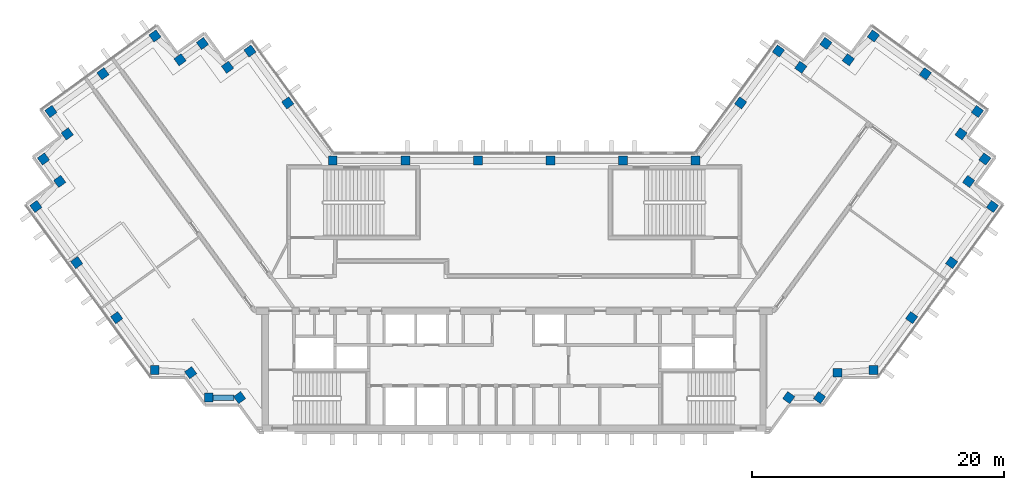
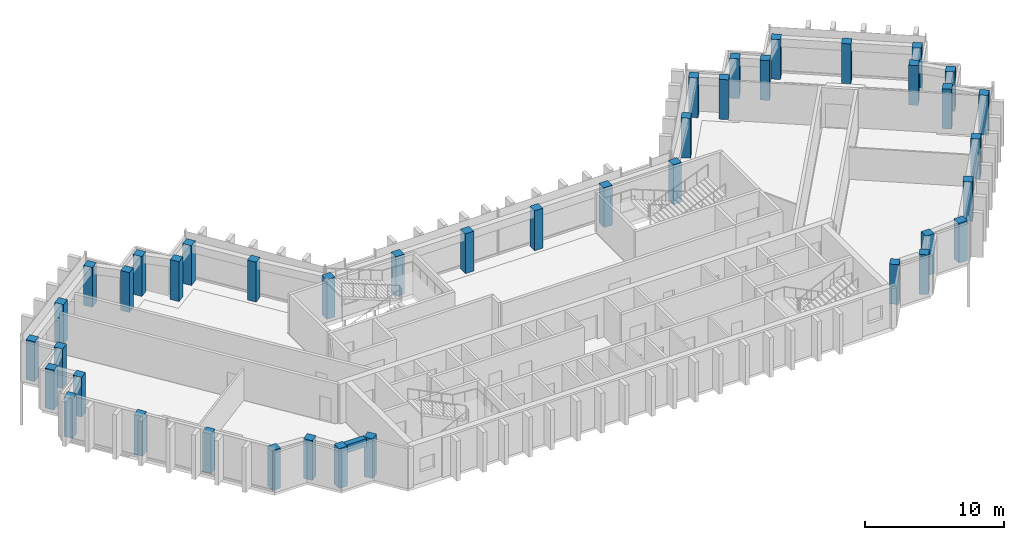
# One storey, part 1 of 13: 42 columns, 1 beam.
"""IFC4 building model written with IfcOpenShell, lengths in metres."""

from ifc_helpers import new_model, si_unit, direction, frame, origin, origin_2d, place, context, subcontext, project, spatial, rectangle, extrude, material, material_profile, profile_set, type_object, element, save


model = new_model("IFC4")

# Units and contexts
model_context = context("Model", 3, precision=1e-05, world=origin(), true_north=direction((0.0, 1.0)))
body_context = subcontext(model_context, "Body", "Model", "MODEL_VIEW")
ifc_project = project(units=[si_unit("LENGTHUNIT", "METRE"), si_unit("AREAUNIT", "SQUARE_METRE"), si_unit("VOLUMEUNIT", "CUBIC_METRE"), si_unit("PLANEANGLEUNIT", "RADIAN"), si_unit("MASSUNIT", "GRAM", prefix="KILO")], contexts=[model_context])

# Site, building, storey
site_placement = place(None, origin())
site = spatial("IfcSite", under=ifc_project, at=site_placement, CompositionType="ELEMENT")
building_placement = place(site_placement, origin())
building = spatial("IfcBuilding", under=site, at=building_placement, Name="Quipu Civic Tower", CompositionType="ELEMENT")
storey_placement = place(building_placement, frame((0.0, 0.0, 269.0)))
storey = spatial("IfcBuildingStorey", under=building, at=storey_placement, Name="L63", CompositionType="ELEMENT", Elevation=269.0)

# Columns
ifc_material_1 = material(Name="Concrete C50/60", Category="concrete")
ifc_material_profile_1 = material_profile(ifc_material_1, rectangle(XDim=0.699951171875, YDim=0.699951171875, at=origin_2d()), Name="RC700x700")
ifc_profile_set_1 = profile_set([ifc_material_profile_1], Name="Concrete C50/60")
column_type = type_object("IfcColumnType", Name="Perimeter column RC 700x700 C50/60", PredefinedType="COLUMN", material=ifc_profile_set_1)
for number, where, z_axis, x_axis, name in (
    (1, (-17.9736328125, 15.074951171875, 0.0), (0.0, 0.0, 1.0), (-0.587785252292, 0.809016994375, 0.0), "Column L63 W-IN-01"),
    (2, (-20.969970703125, 19.195068359375, 0.0), (0.0, 0.0, 1.0), (-0.587785252292, 0.809016994375, 0.0), "Column L63 T-Wi.0-W22"),
    (3, (-22.749267578125, 17.904296875, 0.0), (0.0, 0.0, 1.0), (-0.587785252292, 0.809016994375, 0.0), "Column L63 T-Wi.1-W22"),
    (4, (-24.739990234375, 19.794921875, 0.0), (0.0, 0.0, 1.0), (-0.587785252292, 0.809016994375, 0.0), "Column L63 T-Wi.2-W22"),
    (5, (-26.51904296875, 18.50048828125, 0.0), (0.0, 0.0, 1.0), (-0.587785252292, 0.809016994375, 0.0), "Column L63 T-Wi.3-W22"),
    (6, (-28.510009765625, 20.389892578125, 0.0), (0.0, 0.0, 1.0), (-0.809016994375, -0.587785252292, 0.0), "Column L63 T-Wi.4-W22"),
    (7, (-32.636962890625, 17.39306640625, 0.0), (0.0, 0.0, 1.0), (-0.809016994375, -0.587785252292, 0.0), "Column L63 TIP-W-01-W22"),
    (8, (-36.764892578125, 14.39501953125, 0.0), (0.0, 0.0, 1.0), (0.587785252292, -0.809016994375, 0.0), "Column L63 T-Wo.0-W22"),
    (9, (-35.470703125, 12.616455078125, 0.0), (0.0, 0.0, 1.0), (-0.809016994375, -0.587785252292, 0.0), "Column L63 T-Wo.1-W22"),
    (10, (-37.360107421875, 10.625, 0.0), (0.0, 0.0, 1.0), (0.587785252292, -0.809016994375, 0.0), "Column L63 T-Wo.2-W22"),
    (11, (-36.068115234375, 8.843994140625, 0.0), (0.0, 0.0, 1.0), (0.587785252292, -0.809016994375, 0.0), "Column L63 T-Wo.3-W22"),
    (12, (-37.9599609375, 6.85498046875, 0.0), (0.0, 0.0, 1.0), (0.587785252292, -0.809016994375, 0.0), "Column L63 T-Wo.4-W22"),
    (13, (-34.722412109375, 2.39990234375, 0.0), (0.0, 0.0, 1.0), (0.587785252292, -0.809016994375, 0.0), "Column L63 W-OUT-02"),
    (14, (-31.54833984375, -1.96875, 0.0), (0.0, 0.0, 1.0), (0.587785252292, -0.809016994375, 0.0), "Column L63 W-OUT-01"),
    (15, (-28.52490234375, -6.1298828125, 0.0), (0.0, 0.0, 1.0), (1.0, 0.0, 0.0), "Column L63 J-Wo.0"),
    (16, (-25.67431640625, -6.3369140625, 0.0), (0.0, 0.0, 1.0), (0.587785252292, -0.809016994375, 0.0), "Column L63 J-Wo.1"),
    (17, (-24.235107421875, -8.31494140625, 0.0), (0.0, 0.0, 1.0), (1.0, 0.0, 0.0), "Column L63 J-Wo.2"),
    (18, (-21.791748046875, -8.31494140625, 0.0), (0.0, 0.0, 1.0), (0.587785252292, -0.809016994375, 0.0), "Column L63 J-Wo.3"),
    (19, (21.791748046875, -8.31494140625, 0.0), (0.0, 0.0, 1.0), (0.587785252292, 0.809016994375, 0.0), "Column L63 J-Eo.1"),
    (20, (24.235107421875, -8.31494140625, 0.0), (0.0, 0.0, 1.0), (0.587785252292, 0.809016994375, 0.0), "Column L63 J-Eo.2"),
    (21, (25.67431640625, -6.3369140625, 0.0), (0.0, 0.0, 1.0), (1.0, 0.0, 0.0), "Column L63 J-Eo.3"),
    (22, (28.52490234375, -6.1298828125, 0.0), (0.0, 0.0, 1.0), (1.0, 0.0, 0.0), "Column L63 J-Eo.4"),
    (23, (31.54833984375, -1.96875, 0.0), (0.0, 0.0, 1.0), (0.587785252292, 0.809016994375, 0.0), "Column L63 E-OUT-01"),
    (24, (34.722412109375, 2.39990234375, 0.0), (0.0, 0.0, 1.0), (0.587785252292, 0.809016994375, 0.0), "Column L63 E-OUT-02"),
    (25, (37.9599609375, 6.85498046875, 0.0), (0.0, 0.0, 1.0), (0.587785252292, 0.809016994375, 0.0), "Column L63 T-Eo.0-E22"),
    (26, (36.068115234375, 8.843994140625, 0.0), (0.0, 0.0, 1.0), (0.587785252292, 0.809016994375, 0.0), "Column L63 T-Eo.1-E22"),
    (27, (37.360107421875, 10.625, 0.0), (0.0, 0.0, 1.0), (0.587785252292, 0.809016994375, 0.0), "Column L63 T-Eo.2-E22"),
    (28, (35.470703125, 12.616455078125, 0.0), (0.0, 0.0, 1.0), (-0.809016994375, 0.587785252292, 0.0), "Column L63 T-Eo.3-E22"),
    (29, (36.764892578125, 14.39501953125, 0.0), (0.0, 0.0, 1.0), (-0.809016994375, 0.587785252292, 0.0), "Column L63 T-Eo.4-E22"),
    (30, (32.636962890625, 17.39306640625, 0.0), (0.0, 0.0, 1.0), (-0.809016994375, 0.587785252292, 0.0), "Column L63 TIP-E-01-E22"),
    (31, (28.510009765625, 20.389892578125, 0.0), (0.0, 0.0, 1.0), (-0.587785252292, -0.809016994375, 0.0), "Column L63 T-Ei.0-E22"),
    (32, (26.51904296875, 18.50048828125, 0.0), (0.0, 0.0, 1.0), (-0.809016994375, 0.587785252292, 0.0), "Column L63 T-Ei.1-E22"),
    (33, (24.739990234375, 19.794921875, 0.0), (0.0, 0.0, 1.0), (-0.587785252292, -0.809016994375, 0.0), "Column L63 T-Ei.2-E22"),
    (34, (22.749267578125, 17.904296875, 0.0), (0.0, 0.0, 1.0), (-0.587785252292, -0.809016994375, 0.0), "Column L63 T-Ei.3-E22"),
    (35, (20.969970703125, 19.195068359375, 0.0), (0.0, 0.0, 1.0), (-0.587785252292, -0.809016994375, 0.0), "Column L63 T-Ei.4-E22"),
    (36, (17.9736328125, 15.074951171875, 0.0), (0.0, 0.0, 1.0), (-0.587785252292, -0.809016994375, 0.0), "Column L63 E-IN-01"),
    (37, (14.395263671875, 10.5, 0.0), (0.0, 0.0, 1.0), (-1.0, 0.0, 0.0), "Column L63 J-Ei.0"),
    (38, (8.63720703125, 10.5, 0.0), (0.0, 0.0, 1.0), (-1.0, 0.0, 0.0), "Column L63 FRONT-01"),
    (39, (2.87890625, 10.5, 0.0), (0.0, 0.0, 1.0), (-1.0, 0.0, 0.0), "Column L63 FRONT-02"),
    (40, (-2.87890625, 10.5, 0.0), (0.0, 0.0, 1.0), (-1.0, 0.0, 0.0), "Column L63 FRONT-03"),
    (41, (-8.63720703125, 10.5, 0.0), (0.0, 0.0, 1.0), (-1.0, 0.0, 0.0), "Column L63 FRONT-04"),
    (42, (-14.395263671875, 10.5, 0.0), (0.0, 0.0, 1.0), (-1.0, 0.0, 0.0), "Column L63 J-Wi.0"),
):
    element("IfcColumn", number, at=place(storey_placement, frame(where, z_axis=z_axis, x_axis=x_axis)), inside=storey, type_object=column_type, Name=name, PredefinedType="COLUMN", context=body_context, shape_type="SweptSolid", body=[
        extrude(rectangle(XDim=0.699951171875, YDim=0.699951171875, at=origin_2d()), origin(), (0.0, 0.0, 1.0), 3.5),
    ])

# Beam
ifc_material_2 = material(Name="Concrete C50/60", Category="concrete")
ifc_material_profile_2 = material_profile(ifc_material_2, rectangle(XDim=0.449951171875, YDim=0.699951171875, at=origin_2d()), Name="RC450x700")
ifc_profile_set_2 = profile_set([ifc_material_profile_2], Name="Concrete C50/60")
beam_type = type_object("IfcBeamType", Name="Spandrel beam RC 450x700 C50/60", PredefinedType="SPANDREL", material=ifc_profile_set_2)
beam_placement = place(storey_placement, frame((-23.885009765625, -8.31494140625, 3.14990234375), z_axis=(1.0, 0.0, 0.0), x_axis=(0.0, 1.0, 0.0)))
element("IfcBeam", 43, at=beam_placement, inside=storey, type_object=beam_type, Name="Spandrel beam L63 J-Wo.2 to J-Wo.3", PredefinedType="SPANDREL", context=body_context, shape_type="SweptSolid", body=[
    extrude(rectangle(XDim=0.449951171875, YDim=0.699951171875, at=origin_2d()), origin(), (0.0, 0.0, 1.0), 1.66064453125),
])

save(model, "model.ifc")
